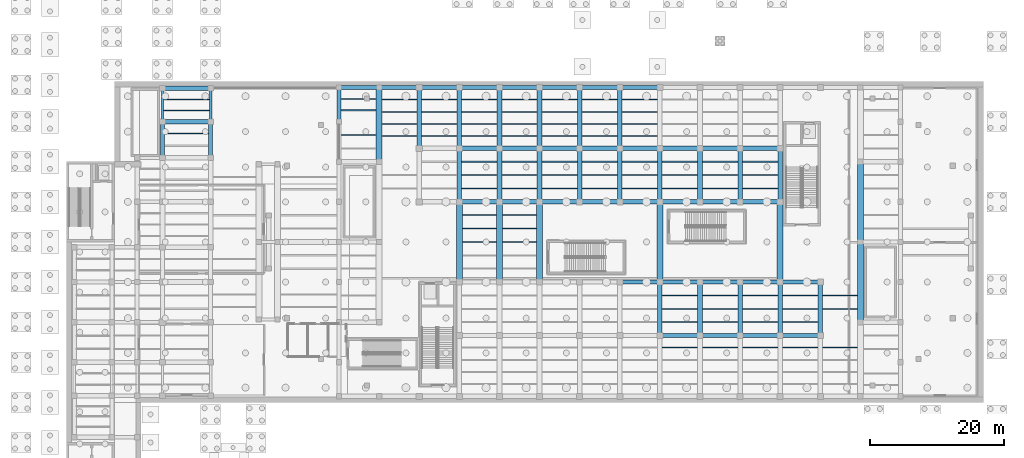
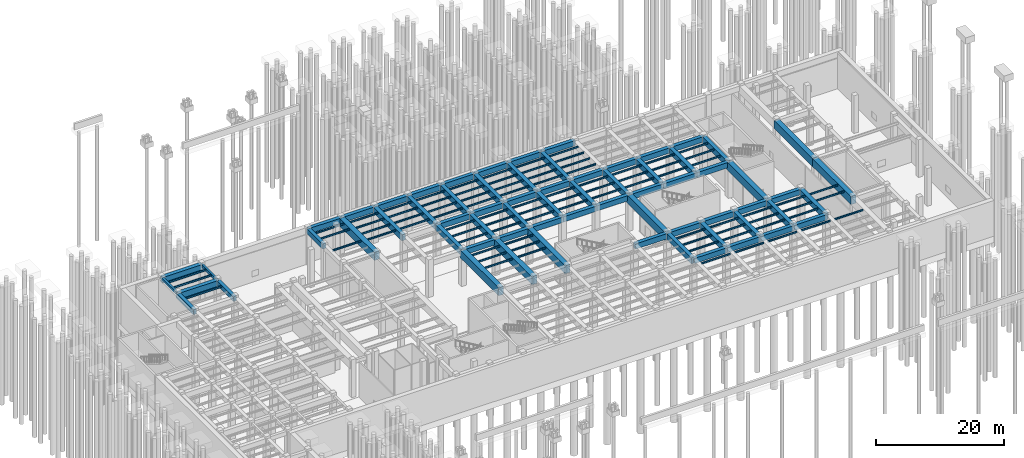
# One storey, part 11 of 30: 151 beams.
"""IFC4 building model written with IfcOpenShell, lengths in metres."""

from ifc_helpers import new_model, si_unit, direction, frame, origin, origin_2d, place, context, subcontext, project, spatial, rectangle, i_section, extrude, material, material_profile, profile_set, type_object, element, save


model = new_model("IFC4")

# Units and contexts
model_context = context("Model", 3, precision=1e-05, world=origin(), true_north=direction((0.0, 1.0)))
body_context = subcontext(model_context, "Body", "Model", "MODEL_VIEW")
ifc_project = project(units=[si_unit("LENGTHUNIT", "METRE"), si_unit("AREAUNIT", "SQUARE_METRE"), si_unit("VOLUMEUNIT", "CUBIC_METRE"), si_unit("PLANEANGLEUNIT", "RADIAN"), si_unit("MASSUNIT", "GRAM", prefix="KILO")], contexts=[model_context])

# Site, building, storey
site_placement = place(None, origin())
site = spatial("IfcSite", under=ifc_project, at=site_placement, CompositionType="ELEMENT")
building_placement = place(site_placement, origin())
building = spatial("IfcBuilding", under=site, at=building_placement, Name="Kolvaren Corner Interchange", CompositionType="ELEMENT")
storey_placement = place(building_placement, frame((0.0, 0.0, -7.199951171875)))
storey = spatial("IfcBuildingStorey", under=building, at=storey_placement, Name="B1", CompositionType="ELEMENT", Elevation=-7.199951171875)

# Beams
ifc_material_1 = material(Name="Concrete C40/50", Category="concrete")
ifc_material_profile_1 = material_profile(ifc_material_1, rectangle(XDim=0.35009765625, YDim=0.550048828125, at=origin_2d()), Name="RC 350x550")
ifc_profile_set_1 = profile_set([ifc_material_profile_1], Name="Concrete C40/50")
beam_type_1 = type_object("IfcBeamType", Name="BM-RC350x550", PredefinedType="BEAM", material=ifc_profile_set_1)
for number, where, z_axis, x_axis, name in (
    (1, (21.60009765625, 66.0, 6.52490234375), (0.0, 1.0, 0.0), (-1.0, 0.0, 0.0), "Storey B1 Grid Y Primary Girder 0126"),
    (2, (28.800048828125, 66.0, 6.52490234375), (0.0, 1.0, 0.0), (-1.0, 0.0, 0.0), "Storey B1 Grid Y Primary Girder 0134"),
):
    element("IfcBeam", number, at=place(storey_placement, frame(where, z_axis=z_axis, x_axis=x_axis)), inside=storey, type_object=beam_type_1, Name=name, PredefinedType="BEAM", context=body_context, shape_type="SweptSolid", body=[
        extrude(rectangle(XDim=0.35009765625, YDim=0.550048828125, at=origin_2d()), origin(), (0.0, 0.0, 1.0), 5.0),
    ])
ifc_material_2 = material(Name="Concrete C40/50", Category="concrete")
ifc_material_profile_2 = material_profile(ifc_material_2, rectangle(XDim=0.60009765625, YDim=0.89990234375, at=origin_2d()), Name="RC 600x900")
ifc_profile_set_2 = profile_set([ifc_material_profile_2], Name="Concrete C40/50")
beam_type_2 = type_object("IfcBeamType", Name="BM-RC600x900", PredefinedType="BEAM", material=ifc_profile_set_2)
for number, where, z_axis, x_axis, name in (
    (3, (21.60009765625, 60.60009765625, 6.349853515625), (0.0, 1.0, 0.0), (-1.0, 0.0, 0.0), "Storey B1 Grid Y Primary Girder 0125"),
    (4, (28.800048828125, 60.60009765625, 6.349853515625), (0.0, 1.0, 0.0), (-1.0, 0.0, 0.0), "Storey B1 Grid Y Primary Girder 0133"),
):
    element("IfcBeam", number, at=place(storey_placement, frame(where, z_axis=z_axis, x_axis=x_axis)), inside=storey, type_object=beam_type_2, Name=name, PredefinedType="BEAM", context=body_context, shape_type="SweptSolid", body=[
        extrude(rectangle(XDim=0.60009765625, YDim=0.89990234375, at=origin_2d()), origin(), (0.0, 0.0, 1.0), 5.39990234375),
    ])
beam_1_placement = place(storey_placement, frame((48.0, 66.0, 6.349853515625), z_axis=(0.0, 1.0, 0.0), x_axis=(-1.0, 0.0, 0.0)))
element("IfcBeam", 5, at=beam_1_placement, inside=storey, type_object=beam_type_2, Name="Storey B1 Grid Y Primary Girder 0147", PredefinedType="BEAM", context=body_context, shape_type="SweptSolid", body=[
    extrude(rectangle(XDim=0.60009765625, YDim=0.89990234375, at=origin_2d()), origin(), (0.0, 0.0, 1.0), 5.10009765625),
])
ifc_material_3 = material(Name="Concrete C40/50", Category="concrete")
ifc_material_profile_3 = material_profile(ifc_material_3, rectangle(XDim=0.64990234375, YDim=1.0, at=origin_2d()), Name="RC 650x1000")
ifc_profile_set_3 = profile_set([ifc_material_profile_3], Name="Concrete C40/50")
beam_type_3 = type_object("IfcBeamType", Name="BM-RC650x1000", PredefinedType="BEAM", material=ifc_profile_set_3)
for number, where, z_axis, x_axis, name in (
    (6, (96.0, 34.0, 6.300048828125), (1.0, 0.0, 0.0), (0.0, 1.0, 0.0), "Storey B1 Grid X Primary Girder 0030"),
    (7, (102.0, 34.0, 6.300048828125), (1.0, 0.0, 0.0), (0.0, 1.0, 0.0), "Storey B1 Grid X Primary Girder 0031"),
    (8, (108.0, 34.0, 6.300048828125), (1.0, 0.0, 0.0), (0.0, 1.0, 0.0), "Storey B1 Grid X Primary Girder 0032"),
    (9, (114.0, 34.0, 6.300048828125), (1.0, 0.0, 0.0), (0.0, 1.0, 0.0), "Storey B1 Grid X Primary Girder 0033"),
    (10, (90.0, 42.0, 6.300048828125), (1.0, 0.0, 0.0), (0.0, 1.0, 0.0), "Storey B1 Grid X Primary Girder 0049"),
    (11, (96.0, 42.0, 6.300048828125), (1.0, 0.0, 0.0), (0.0, 1.0, 0.0), "Storey B1 Grid X Primary Girder 0050"),
    (12, (102.0, 42.0, 6.300048828125), (1.0, 0.0, 0.0), (0.0, 1.0, 0.0), "Storey B1 Grid X Primary Girder 0051"),
    (13, (108.0, 42.0, 6.300048828125), (1.0, 0.0, 0.0), (0.0, 1.0, 0.0), "Storey B1 Grid X Primary Girder 0052"),
    (14, (114.0, 42.0, 6.300048828125), (1.0, 0.0, 0.0), (0.0, 1.0, 0.0), "Storey B1 Grid X Primary Girder 0053"),
    (15, (66.0, 54.0, 6.300048828125), (1.0, 0.0, 0.0), (0.0, 1.0, 0.0), "Storey B1 Grid X Primary Girder 0065"),
    (16, (72.0, 54.0, 6.300048828125), (1.0, 0.0, 0.0), (0.0, 1.0, 0.0), "Storey B1 Grid X Primary Girder 0066"),
    (17, (78.0, 54.0, 6.300048828125), (1.0, 0.0, 0.0), (0.0, 1.0, 0.0), "Storey B1 Grid X Primary Girder 0067"),
    (18, (84.0, 54.0, 6.300048828125), (1.0, 0.0, 0.0), (0.0, 1.0, 0.0), "Storey B1 Grid X Primary Girder 0068"),
    (19, (90.0, 54.0, 6.300048828125), (1.0, 0.0, 0.0), (0.0, 1.0, 0.0), "Storey B1 Grid X Primary Girder 0069"),
    (20, (96.0, 54.0, 6.300048828125), (1.0, 0.0, 0.0), (0.0, 1.0, 0.0), "Storey B1 Grid X Primary Girder 0070"),
    (21, (102.0, 54.0, 6.300048828125), (1.0, 0.0, 0.0), (0.0, 1.0, 0.0), "Storey B1 Grid X Primary Girder 0071"),
    (22, (108.0, 54.0, 6.300048828125), (1.0, 0.0, 0.0), (0.0, 1.0, 0.0), "Storey B1 Grid X Primary Girder 0072"),
    (23, (66.0, 62.0, 6.300048828125), (1.0, 0.0, 0.0), (0.0, 1.0, 0.0), "Storey B1 Grid X Primary Girder 0079"),
    (24, (72.0, 62.0, 6.300048828125), (1.0, 0.0, 0.0), (0.0, 1.0, 0.0), "Storey B1 Grid X Primary Girder 0080"),
    (25, (78.0, 62.0, 6.300048828125), (1.0, 0.0, 0.0), (0.0, 1.0, 0.0), "Storey B1 Grid X Primary Girder 0081"),
    (26, (84.0, 62.0, 6.300048828125), (1.0, 0.0, 0.0), (0.0, 1.0, 0.0), "Storey B1 Grid X Primary Girder 0082"),
    (27, (90.0, 62.0, 6.300048828125), (1.0, 0.0, 0.0), (0.0, 1.0, 0.0), "Storey B1 Grid X Primary Girder 0083"),
    (28, (96.0, 62.0, 6.300048828125), (1.0, 0.0, 0.0), (0.0, 1.0, 0.0), "Storey B1 Grid X Primary Girder 0084"),
    (29, (102.0, 62.0, 6.300048828125), (1.0, 0.0, 0.0), (0.0, 1.0, 0.0), "Storey B1 Grid X Primary Girder 0085"),
    (30, (108.0, 62.0, 6.300048828125), (1.0, 0.0, 0.0), (0.0, 1.0, 0.0), "Storey B1 Grid X Primary Girder 0086"),
    (31, (48.0, 71.10009765625, 6.300048828125), (1.0, 0.0, 0.0), (0.0, 1.0, 0.0), "Storey B1 Grid X Primary Girder 0089"),
    (32, (54.0, 71.10009765625, 6.300048828125), (1.0, 0.0, 0.0), (0.0, 1.0, 0.0), "Storey B1 Grid X Primary Girder 0090"),
    (33, (60.0, 71.10009765625, 6.300048828125), (1.0, 0.0, 0.0), (0.0, 1.0, 0.0), "Storey B1 Grid X Primary Girder 0091"),
    (34, (66.0, 71.10009765625, 6.300048828125), (1.0, 0.0, 0.0), (0.0, 1.0, 0.0), "Storey B1 Grid X Primary Girder 0092"),
    (35, (72.0, 71.10009765625, 6.300048828125), (1.0, 0.0, 0.0), (0.0, 1.0, 0.0), "Storey B1 Grid X Primary Girder 0093"),
    (36, (78.0, 71.10009765625, 6.300048828125), (1.0, 0.0, 0.0), (0.0, 1.0, 0.0), "Storey B1 Grid X Primary Girder 0094"),
    (37, (84.0, 71.10009765625, 6.300048828125), (1.0, 0.0, 0.0), (0.0, 1.0, 0.0), "Storey B1 Grid X Primary Girder 0095"),
    (38, (90.0, 71.10009765625, 6.300048828125), (1.0, 0.0, 0.0), (0.0, 1.0, 0.0), "Storey B1 Grid X Primary Girder 0096"),
):
    element("IfcBeam", number, at=place(storey_placement, frame(where, z_axis=z_axis, x_axis=x_axis)), inside=storey, type_object=beam_type_3, Name=name, PredefinedType="BEAM", context=body_context, shape_type="SweptSolid", body=[
        extrude(rectangle(XDim=0.64990234375, YDim=1.0, at=origin_2d()), origin(), (0.0, 0.0, 1.0), 6.0),
    ])
ifc_material_4 = material(Name="Concrete C40/50", Category="concrete")
ifc_material_profile_4 = material_profile(ifc_material_4, rectangle(XDim=0.699951171875, YDim=1.10009765625, at=origin_2d()), Name="RC 700x1100")
ifc_profile_set_4 = profile_set([ifc_material_profile_4], Name="Concrete C40/50")
beam_type_4 = type_object("IfcBeamType", Name="BM-RC700x1100", PredefinedType="BEAM", material=ifc_profile_set_4)
for number, where, z_axis, x_axis, name in (
    (39, (21.60009765625, 66.0, 6.25), (1.0, 0.0, 0.0), (0.0, 1.0, 0.0), "Storey B1 Grid X Primary Girder 0087"),
    (40, (21.60009765625, 71.0, 6.25), (1.0, 0.0, 0.0), (0.0, 1.0, 0.0), "Storey B1 Grid X Primary Girder 0088"),
):
    element("IfcBeam", number, at=place(storey_placement, frame(where, z_axis=z_axis, x_axis=x_axis)), inside=storey, type_object=beam_type_4, Name=name, PredefinedType="BEAM", context=body_context, shape_type="SweptSolid", body=[
        extrude(rectangle(XDim=0.699951171875, YDim=1.10009765625, at=origin_2d()), origin(), (0.0, 0.0, 1.0), 7.199951171875),
    ])
beam_2_placement = place(storey_placement, frame((60.0, 62.0, 6.25), z_axis=(0.0, 1.0, 0.0), x_axis=(-1.0, 0.0, 0.0)))
element("IfcBeam", 41, at=beam_2_placement, inside=storey, type_object=beam_type_4, Name="Storey B1 Grid Y Primary Girder 0152", PredefinedType="BEAM", context=body_context, shape_type="SweptSolid", body=[
    extrude(rectangle(XDim=0.699951171875, YDim=1.10009765625, at=origin_2d()), origin(), (0.0, 0.0, 1.0), 9.10009765625),
])
beam_3_placement = place(storey_placement, frame((66.0, 54.0, 6.25), z_axis=(0.0, 1.0, 0.0), x_axis=(-1.0, 0.0, 0.0)))
element("IfcBeam", 42, at=beam_3_placement, inside=storey, type_object=beam_type_4, Name="Storey B1 Grid Y Primary Girder 0156", PredefinedType="BEAM", context=body_context, shape_type="SweptSolid", body=[
    extrude(rectangle(XDim=0.699951171875, YDim=1.10009765625, at=origin_2d()), origin(), (0.0, 0.0, 1.0), 8.0),
])
beam_4_placement = place(storey_placement, frame((66.0, 62.0, 6.25), z_axis=(0.0, 1.0, 0.0), x_axis=(-1.0, 0.0, 0.0)))
element("IfcBeam", 43, at=beam_4_placement, inside=storey, type_object=beam_type_4, Name="Storey B1 Grid Y Primary Girder 0157", PredefinedType="BEAM", context=body_context, shape_type="SweptSolid", body=[
    extrude(rectangle(XDim=0.699951171875, YDim=1.10009765625, at=origin_2d()), origin(), (0.0, 0.0, 1.0), 9.10009765625),
])
beam_5_placement = place(storey_placement, frame((72.0, 54.0, 6.25), z_axis=(0.0, 1.0, 0.0), x_axis=(-1.0, 0.0, 0.0)))
element("IfcBeam", 44, at=beam_5_placement, inside=storey, type_object=beam_type_4, Name="Storey B1 Grid Y Primary Girder 0161", PredefinedType="BEAM", context=body_context, shape_type="SweptSolid", body=[
    extrude(rectangle(XDim=0.699951171875, YDim=1.10009765625, at=origin_2d()), origin(), (0.0, 0.0, 1.0), 8.0),
])
beam_6_placement = place(storey_placement, frame((72.0, 62.0, 6.25), z_axis=(0.0, 1.0, 0.0), x_axis=(-1.0, 0.0, 0.0)))
element("IfcBeam", 45, at=beam_6_placement, inside=storey, type_object=beam_type_4, Name="Storey B1 Grid Y Primary Girder 0162", PredefinedType="BEAM", context=body_context, shape_type="SweptSolid", body=[
    extrude(rectangle(XDim=0.699951171875, YDim=1.10009765625, at=origin_2d()), origin(), (0.0, 0.0, 1.0), 9.10009765625),
])
beam_7_placement = place(storey_placement, frame((78.0, 54.0, 6.25), z_axis=(0.0, 1.0, 0.0), x_axis=(-1.0, 0.0, 0.0)))
element("IfcBeam", 46, at=beam_7_placement, inside=storey, type_object=beam_type_4, Name="Storey B1 Grid Y Primary Girder 0166", PredefinedType="BEAM", context=body_context, shape_type="SweptSolid", body=[
    extrude(rectangle(XDim=0.699951171875, YDim=1.10009765625, at=origin_2d()), origin(), (0.0, 0.0, 1.0), 8.0),
])
beam_8_placement = place(storey_placement, frame((78.0, 62.0, 6.25), z_axis=(0.0, 1.0, 0.0), x_axis=(-1.0, 0.0, 0.0)))
element("IfcBeam", 47, at=beam_8_placement, inside=storey, type_object=beam_type_4, Name="Storey B1 Grid Y Primary Girder 0167", PredefinedType="BEAM", context=body_context, shape_type="SweptSolid", body=[
    extrude(rectangle(XDim=0.699951171875, YDim=1.10009765625, at=origin_2d()), origin(), (0.0, 0.0, 1.0), 9.10009765625),
])
beam_9_placement = place(storey_placement, frame((84.0, 54.0, 6.25), z_axis=(0.0, 1.0, 0.0), x_axis=(-1.0, 0.0, 0.0)))
element("IfcBeam", 48, at=beam_9_placement, inside=storey, type_object=beam_type_4, Name="Storey B1 Grid Y Primary Girder 0170", PredefinedType="BEAM", context=body_context, shape_type="SweptSolid", body=[
    extrude(rectangle(XDim=0.699951171875, YDim=1.10009765625, at=origin_2d()), origin(), (0.0, 0.0, 1.0), 8.0),
])
beam_10_placement = place(storey_placement, frame((84.0, 62.0, 6.25), z_axis=(0.0, 1.0, 0.0), x_axis=(-1.0, 0.0, 0.0)))
element("IfcBeam", 49, at=beam_10_placement, inside=storey, type_object=beam_type_4, Name="Storey B1 Grid Y Primary Girder 0171", PredefinedType="BEAM", context=body_context, shape_type="SweptSolid", body=[
    extrude(rectangle(XDim=0.699951171875, YDim=1.10009765625, at=origin_2d()), origin(), (0.0, 0.0, 1.0), 9.10009765625),
])
beam_11_placement = place(storey_placement, frame((90.0, 54.0, 6.25), z_axis=(0.0, 1.0, 0.0), x_axis=(-1.0, 0.0, 0.0)))
element("IfcBeam", 50, at=beam_11_placement, inside=storey, type_object=beam_type_4, Name="Storey B1 Grid Y Primary Girder 0174", PredefinedType="BEAM", context=body_context, shape_type="SweptSolid", body=[
    extrude(rectangle(XDim=0.699951171875, YDim=1.10009765625, at=origin_2d()), origin(), (0.0, 0.0, 1.0), 8.0),
])
beam_12_placement = place(storey_placement, frame((90.0, 62.0, 6.25), z_axis=(0.0, 1.0, 0.0), x_axis=(-1.0, 0.0, 0.0)))
element("IfcBeam", 51, at=beam_12_placement, inside=storey, type_object=beam_type_4, Name="Storey B1 Grid Y Primary Girder 0175", PredefinedType="BEAM", context=body_context, shape_type="SweptSolid", body=[
    extrude(rectangle(XDim=0.699951171875, YDim=1.10009765625, at=origin_2d()), origin(), (0.0, 0.0, 1.0), 9.10009765625),
])
for number, where, z_axis, x_axis, name in (
    (52, (96.0, 34.0, 6.25), (0.0, 1.0, 0.0), (-1.0, 0.0, 0.0), "Storey B1 Grid Y Primary Girder 0177"),
    (53, (96.0, 54.0, 6.25), (0.0, 1.0, 0.0), (-1.0, 0.0, 0.0), "Storey B1 Grid Y Primary Girder 0179"),
    (54, (102.0, 34.0, 6.25), (0.0, 1.0, 0.0), (-1.0, 0.0, 0.0), "Storey B1 Grid Y Primary Girder 0182"),
    (55, (102.0, 54.0, 6.25), (0.0, 1.0, 0.0), (-1.0, 0.0, 0.0), "Storey B1 Grid Y Primary Girder 0183"),
    (56, (108.0, 34.0, 6.25), (0.0, 1.0, 0.0), (-1.0, 0.0, 0.0), "Storey B1 Grid Y Primary Girder 0186"),
    (57, (108.0, 54.0, 6.25), (0.0, 1.0, 0.0), (-1.0, 0.0, 0.0), "Storey B1 Grid Y Primary Girder 0187"),
    (58, (114.0, 34.0, 6.25), (0.0, 1.0, 0.0), (-1.0, 0.0, 0.0), "Storey B1 Grid Y Primary Girder 0190"),
    (59, (114.0, 54.0, 6.25), (0.0, 1.0, 0.0), (-1.0, 0.0, 0.0), "Storey B1 Grid Y Primary Girder 0192"),
    (60, (120.0, 34.0, 6.25), (0.0, 1.0, 0.0), (-1.0, 0.0, 0.0), "Storey B1 Grid Y Primary Girder 0195"),
):
    element("IfcBeam", number, at=place(storey_placement, frame(where, z_axis=z_axis, x_axis=x_axis)), inside=storey, type_object=beam_type_4, Name=name, PredefinedType="BEAM", context=body_context, shape_type="SweptSolid", body=[
        extrude(rectangle(XDim=0.699951171875, YDim=1.10009765625, at=origin_2d()), origin(), (0.0, 0.0, 1.0), 8.0),
    ])
ifc_material_5 = material(Name="Concrete C40/50", Category="concrete")
ifc_material_profile_5 = material_profile(ifc_material_5, rectangle(XDim=0.89990234375, YDim=1.5, at=origin_2d()), Name="RC 900x1500")
ifc_profile_set_5 = profile_set([ifc_material_profile_5], Name="Concrete C40/50")
beam_type_5 = type_object("IfcBeamType", Name="BM-RC900x1500", PredefinedType="BEAM", material=ifc_profile_set_5)
beam_13_placement = place(storey_placement, frame((54.0, 60.0, 6.050048828125), z_axis=(0.0, 1.0, 0.0), x_axis=(-1.0, 0.0, 0.0)))
element("IfcBeam", 61, at=beam_13_placement, inside=storey, type_object=beam_type_5, Name="Storey B1 Grid Y Primary Girder 0150", PredefinedType="BEAM", context=body_context, shape_type="SweptSolid", body=[
    extrude(rectangle(XDim=0.89990234375, YDim=1.5, at=origin_2d()), origin(), (0.0, 0.0, 1.0), 11.10009765625),
])
for number, where, z_axis, x_axis, name in (
    (62, (66.0, 42.0, 6.050048828125), (0.0, 1.0, 0.0), (-1.0, 0.0, 0.0), "Storey B1 Grid Y Primary Girder 0155"),
    (63, (72.0, 42.0, 6.050048828125), (0.0, 1.0, 0.0), (-1.0, 0.0, 0.0), "Storey B1 Grid Y Primary Girder 0160"),
    (64, (78.0, 42.0, 6.050048828125), (0.0, 1.0, 0.0), (-1.0, 0.0, 0.0), "Storey B1 Grid Y Primary Girder 0165"),
    (65, (96.0, 42.0, 6.050048828125), (0.0, 1.0, 0.0), (-1.0, 0.0, 0.0), "Storey B1 Grid Y Primary Girder 0178"),
    (66, (114.0, 42.0, 6.050048828125), (0.0, 1.0, 0.0), (-1.0, 0.0, 0.0), "Storey B1 Grid Y Primary Girder 0191"),
    (67, (126.0, 36.0, 6.050048828125), (0.0, 1.0, 0.0), (-1.0, 0.0, 0.0), "Storey B1 Grid Y Primary Girder 0197"),
    (68, (126.0, 48.0, 6.050048828125), (0.0, 1.0, 0.0), (-1.0, 0.0, 0.0), "Storey B1 Grid Y Primary Girder 0198"),
):
    element("IfcBeam", number, at=place(storey_placement, frame(where, z_axis=z_axis, x_axis=x_axis)), inside=storey, type_object=beam_type_5, Name=name, PredefinedType="BEAM", context=body_context, shape_type="SweptSolid", body=[
        extrude(rectangle(XDim=0.89990234375, YDim=1.5, at=origin_2d()), origin(), (0.0, 0.0, 1.0), 12.0),
    ])
ifc_material_6 = material(Name="Steel S355", Category="steel")
ifc_material_profile_6 = material_profile(ifc_material_6, i_section(OverallWidth=0.159912109375, OverallDepth=0.330078125, WebThickness=0.007568359375, FlangeThickness=0.011474609375, FilletRadius=0.01806640625, at=origin_2d()), Name="IPE 330")
ifc_profile_set_6 = profile_set([ifc_material_profile_6], Name="Steel S355")
beam_type_6 = type_object("IfcBeamType", Name="JS-IPE330", PredefinedType="JOIST", material=ifc_profile_set_6)
for number, where, z_axis, x_axis, name in (
    (69, (48.300048828125, 64.0, 6.635009765625), (1.0, 0.0, 0.0), (0.0, 1.0, 0.0), "Storey B1 Composite Floor Joist 0073"),
    (70, (48.300048828125, 67.699951171875, 6.635009765625), (1.0, 0.0, 0.0), (0.0, 1.0, 0.0), "Storey B1 Composite Floor Joist 0074"),
    (71, (48.300048828125, 69.39990234375, 6.635009765625), (1.0, 0.0, 0.0), (0.0, 1.0, 0.0), "Storey B1 Composite Floor Joist 0075"),
):
    element("IfcBeam", number, at=place(storey_placement, frame(where, z_axis=z_axis, x_axis=x_axis)), inside=storey, type_object=beam_type_6, Name=name, PredefinedType="JOIST", context=body_context, shape_type="SweptSolid", body=[
        extrude(i_section(OverallWidth=0.159912109375, OverallDepth=0.330078125, WebThickness=0.007568359375, FlangeThickness=0.011474609375, FilletRadius=0.01806640625, at=origin_2d()), origin(), (0.0, 0.0, 1.0), 5.25),
    ])
for number, where, z_axis, x_axis, name in (
    (72, (54.449951171875, 63.820068359375, 6.635009765625), (1.0, 0.0, 0.0), (0.0, 1.0, 0.0), "Storey B1 Composite Floor Joist 0078"),
    (73, (54.449951171875, 65.639892578125, 6.635009765625), (1.0, 0.0, 0.0), (0.0, 1.0, 0.0), "Storey B1 Composite Floor Joist 0079"),
    (74, (54.449951171875, 67.4599609375, 6.635009765625), (1.0, 0.0, 0.0), (0.0, 1.0, 0.0), "Storey B1 Composite Floor Joist 0080"),
    (75, (54.449951171875, 69.280029296875, 6.635009765625), (1.0, 0.0, 0.0), (0.0, 1.0, 0.0), "Storey B1 Composite Floor Joist 0081"),
):
    element("IfcBeam", number, at=place(storey_placement, frame(where, z_axis=z_axis, x_axis=x_axis)), inside=storey, type_object=beam_type_6, Name=name, PredefinedType="JOIST", context=body_context, shape_type="SweptSolid", body=[
        extrude(i_section(OverallWidth=0.159912109375, OverallDepth=0.330078125, WebThickness=0.007568359375, FlangeThickness=0.011474609375, FilletRadius=0.01806640625, at=origin_2d()), origin(), (0.0, 0.0, 1.0), 5.199951171875),
    ])
for number, where, z_axis, x_axis, name in (
    (76, (60.35009765625, 63.820068359375, 6.635009765625), (1.0, 0.0, 0.0), (0.0, 1.0, 0.0), "Storey B1 Composite Floor Joist 0085"),
    (77, (60.35009765625, 65.639892578125, 6.635009765625), (1.0, 0.0, 0.0), (0.0, 1.0, 0.0), "Storey B1 Composite Floor Joist 0086"),
    (78, (60.35009765625, 67.4599609375, 6.635009765625), (1.0, 0.0, 0.0), (0.0, 1.0, 0.0), "Storey B1 Composite Floor Joist 0087"),
    (79, (60.35009765625, 69.280029296875, 6.635009765625), (1.0, 0.0, 0.0), (0.0, 1.0, 0.0), "Storey B1 Composite Floor Joist 0088"),
):
    element("IfcBeam", number, at=place(storey_placement, frame(where, z_axis=z_axis, x_axis=x_axis)), inside=storey, type_object=beam_type_6, Name=name, PredefinedType="JOIST", context=body_context, shape_type="SweptSolid", body=[
        extrude(i_section(OverallWidth=0.159912109375, OverallDepth=0.330078125, WebThickness=0.007568359375, FlangeThickness=0.011474609375, FilletRadius=0.01806640625, at=origin_2d()), origin(), (0.0, 0.0, 1.0), 5.2998046875),
    ])
for number, where, z_axis, x_axis, name in (
    (80, (66.449951171875, 48.0, 6.635009765625), (1.0, 0.0, 0.0), (0.0, 1.0, 0.0), "Storey B1 Composite Floor Joist 0098"),
    (81, (66.449951171875, 50.0, 6.635009765625), (1.0, 0.0, 0.0), (0.0, 1.0, 0.0), "Storey B1 Composite Floor Joist 0099"),
    (82, (66.449951171875, 52.0, 6.635009765625), (1.0, 0.0, 0.0), (0.0, 1.0, 0.0), "Storey B1 Composite Floor Joist 0100"),
):
    element("IfcBeam", number, at=place(storey_placement, frame(where, z_axis=z_axis, x_axis=x_axis)), inside=storey, type_object=beam_type_6, Name=name, PredefinedType="JOIST", context=body_context, shape_type="SweptSolid", body=[
        extrude(i_section(OverallWidth=0.159912109375, OverallDepth=0.330078125, WebThickness=0.007568359375, FlangeThickness=0.011474609375, FilletRadius=0.01806640625, at=origin_2d()), origin(), (0.0, 0.0, 1.0), 5.10009765625),
    ])
for number, where, z_axis, x_axis, name in (
    (83, (66.35009765625, 56.0, 6.635009765625), (1.0, 0.0, 0.0), (0.0, 1.0, 0.0), "Storey B1 Composite Floor Joist 0101"),
    (84, (66.35009765625, 58.0, 6.635009765625), (1.0, 0.0, 0.0), (0.0, 1.0, 0.0), "Storey B1 Composite Floor Joist 0102"),
    (85, (66.35009765625, 60.0, 6.635009765625), (1.0, 0.0, 0.0), (0.0, 1.0, 0.0), "Storey B1 Composite Floor Joist 0103"),
    (86, (66.35009765625, 63.820068359375, 6.635009765625), (1.0, 0.0, 0.0), (0.0, 1.0, 0.0), "Storey B1 Composite Floor Joist 0104"),
    (87, (66.35009765625, 65.639892578125, 6.635009765625), (1.0, 0.0, 0.0), (0.0, 1.0, 0.0), "Storey B1 Composite Floor Joist 0105"),
    (88, (66.35009765625, 67.4599609375, 6.635009765625), (1.0, 0.0, 0.0), (0.0, 1.0, 0.0), "Storey B1 Composite Floor Joist 0106"),
    (89, (66.35009765625, 69.280029296875, 6.635009765625), (1.0, 0.0, 0.0), (0.0, 1.0, 0.0), "Storey B1 Composite Floor Joist 0107"),
):
    element("IfcBeam", number, at=place(storey_placement, frame(where, z_axis=z_axis, x_axis=x_axis)), inside=storey, type_object=beam_type_6, Name=name, PredefinedType="JOIST", context=body_context, shape_type="SweptSolid", body=[
        extrude(i_section(OverallWidth=0.159912109375, OverallDepth=0.330078125, WebThickness=0.007568359375, FlangeThickness=0.011474609375, FilletRadius=0.01806640625, at=origin_2d()), origin(), (0.0, 0.0, 1.0), 5.2998046875),
    ])
for number, where, z_axis, x_axis, name in (
    (90, (72.449951171875, 48.0, 6.635009765625), (1.0, 0.0, 0.0), (0.0, 1.0, 0.0), "Storey B1 Composite Floor Joist 0117"),
    (91, (72.449951171875, 50.0, 6.635009765625), (1.0, 0.0, 0.0), (0.0, 1.0, 0.0), "Storey B1 Composite Floor Joist 0118"),
    (92, (72.449951171875, 52.0, 6.635009765625), (1.0, 0.0, 0.0), (0.0, 1.0, 0.0), "Storey B1 Composite Floor Joist 0119"),
):
    element("IfcBeam", number, at=place(storey_placement, frame(where, z_axis=z_axis, x_axis=x_axis)), inside=storey, type_object=beam_type_6, Name=name, PredefinedType="JOIST", context=body_context, shape_type="SweptSolid", body=[
        extrude(i_section(OverallWidth=0.159912109375, OverallDepth=0.330078125, WebThickness=0.007568359375, FlangeThickness=0.011474609375, FilletRadius=0.01806640625, at=origin_2d()), origin(), (0.0, 0.0, 1.0), 5.10009765625),
    ])
for number, where, z_axis, x_axis, name in (
    (93, (72.35009765625, 56.0, 6.635009765625), (1.0, 0.0, 0.0), (0.0, 1.0, 0.0), "Storey B1 Composite Floor Joist 0120"),
    (94, (72.35009765625, 58.0, 6.635009765625), (1.0, 0.0, 0.0), (0.0, 1.0, 0.0), "Storey B1 Composite Floor Joist 0121"),
    (95, (72.35009765625, 60.0, 6.635009765625), (1.0, 0.0, 0.0), (0.0, 1.0, 0.0), "Storey B1 Composite Floor Joist 0122"),
    (96, (72.35009765625, 63.820068359375, 6.635009765625), (1.0, 0.0, 0.0), (0.0, 1.0, 0.0), "Storey B1 Composite Floor Joist 0123"),
    (97, (72.35009765625, 65.639892578125, 6.635009765625), (1.0, 0.0, 0.0), (0.0, 1.0, 0.0), "Storey B1 Composite Floor Joist 0124"),
    (98, (72.35009765625, 67.4599609375, 6.635009765625), (1.0, 0.0, 0.0), (0.0, 1.0, 0.0), "Storey B1 Composite Floor Joist 0125"),
    (99, (72.35009765625, 69.280029296875, 6.635009765625), (1.0, 0.0, 0.0), (0.0, 1.0, 0.0), "Storey B1 Composite Floor Joist 0126"),
    (100, (78.35009765625, 56.0, 6.635009765625), (1.0, 0.0, 0.0), (0.0, 1.0, 0.0), "Storey B1 Composite Floor Joist 0134"),
    (101, (78.35009765625, 58.0, 6.635009765625), (1.0, 0.0, 0.0), (0.0, 1.0, 0.0), "Storey B1 Composite Floor Joist 0135"),
    (102, (78.35009765625, 60.0, 6.635009765625), (1.0, 0.0, 0.0), (0.0, 1.0, 0.0), "Storey B1 Composite Floor Joist 0136"),
    (103, (78.35009765625, 63.820068359375, 6.635009765625), (1.0, 0.0, 0.0), (0.0, 1.0, 0.0), "Storey B1 Composite Floor Joist 0137"),
    (104, (78.35009765625, 65.639892578125, 6.635009765625), (1.0, 0.0, 0.0), (0.0, 1.0, 0.0), "Storey B1 Composite Floor Joist 0138"),
    (105, (78.35009765625, 67.4599609375, 6.635009765625), (1.0, 0.0, 0.0), (0.0, 1.0, 0.0), "Storey B1 Composite Floor Joist 0139"),
    (106, (78.35009765625, 69.280029296875, 6.635009765625), (1.0, 0.0, 0.0), (0.0, 1.0, 0.0), "Storey B1 Composite Floor Joist 0140"),
    (107, (84.35009765625, 56.0, 6.635009765625), (1.0, 0.0, 0.0), (0.0, 1.0, 0.0), "Storey B1 Composite Floor Joist 0148"),
    (108, (84.35009765625, 58.0, 6.635009765625), (1.0, 0.0, 0.0), (0.0, 1.0, 0.0), "Storey B1 Composite Floor Joist 0149"),
    (109, (84.35009765625, 60.0, 6.635009765625), (1.0, 0.0, 0.0), (0.0, 1.0, 0.0), "Storey B1 Composite Floor Joist 0150"),
    (110, (84.35009765625, 63.820068359375, 6.635009765625), (1.0, 0.0, 0.0), (0.0, 1.0, 0.0), "Storey B1 Composite Floor Joist 0151"),
    (111, (84.35009765625, 65.639892578125, 6.635009765625), (1.0, 0.0, 0.0), (0.0, 1.0, 0.0), "Storey B1 Composite Floor Joist 0152"),
    (112, (84.35009765625, 67.4599609375, 6.635009765625), (1.0, 0.0, 0.0), (0.0, 1.0, 0.0), "Storey B1 Composite Floor Joist 0153"),
    (113, (84.35009765625, 69.280029296875, 6.635009765625), (1.0, 0.0, 0.0), (0.0, 1.0, 0.0), "Storey B1 Composite Floor Joist 0154"),
    (114, (90.35009765625, 56.0, 6.635009765625), (1.0, 0.0, 0.0), (0.0, 1.0, 0.0), "Storey B1 Composite Floor Joist 0162"),
    (115, (90.35009765625, 58.0, 6.635009765625), (1.0, 0.0, 0.0), (0.0, 1.0, 0.0), "Storey B1 Composite Floor Joist 0163"),
    (116, (90.35009765625, 60.0, 6.635009765625), (1.0, 0.0, 0.0), (0.0, 1.0, 0.0), "Storey B1 Composite Floor Joist 0164"),
    (117, (90.35009765625, 63.820068359375, 6.635009765625), (1.0, 0.0, 0.0), (0.0, 1.0, 0.0), "Storey B1 Composite Floor Joist 0165"),
    (118, (90.35009765625, 65.639892578125, 6.635009765625), (1.0, 0.0, 0.0), (0.0, 1.0, 0.0), "Storey B1 Composite Floor Joist 0166"),
    (119, (90.35009765625, 67.4599609375, 6.635009765625), (1.0, 0.0, 0.0), (0.0, 1.0, 0.0), "Storey B1 Composite Floor Joist 0167"),
    (120, (90.35009765625, 69.280029296875, 6.635009765625), (1.0, 0.0, 0.0), (0.0, 1.0, 0.0), "Storey B1 Composite Floor Joist 0168"),
    (121, (96.35009765625, 32.179931640625, 6.635009765625), (1.0, 0.0, 0.0), (0.0, 1.0, 0.0), "Storey B1 Composite Floor Joist 0172"),
    (122, (96.35009765625, 36.0, 6.635009765625), (1.0, 0.0, 0.0), (0.0, 1.0, 0.0), "Storey B1 Composite Floor Joist 0173"),
    (123, (96.35009765625, 38.0, 6.635009765625), (1.0, 0.0, 0.0), (0.0, 1.0, 0.0), "Storey B1 Composite Floor Joist 0174"),
    (124, (96.35009765625, 40.0, 6.635009765625), (1.0, 0.0, 0.0), (0.0, 1.0, 0.0), "Storey B1 Composite Floor Joist 0175"),
    (125, (96.35009765625, 56.0, 6.635009765625), (1.0, 0.0, 0.0), (0.0, 1.0, 0.0), "Storey B1 Composite Floor Joist 0176"),
    (126, (96.35009765625, 58.0, 6.635009765625), (1.0, 0.0, 0.0), (0.0, 1.0, 0.0), "Storey B1 Composite Floor Joist 0177"),
    (127, (96.35009765625, 60.0, 6.635009765625), (1.0, 0.0, 0.0), (0.0, 1.0, 0.0), "Storey B1 Composite Floor Joist 0178"),
    (128, (102.35009765625, 32.179931640625, 6.635009765625), (1.0, 0.0, 0.0), (0.0, 1.0, 0.0), "Storey B1 Composite Floor Joist 0186"),
    (129, (102.35009765625, 36.0, 6.635009765625), (1.0, 0.0, 0.0), (0.0, 1.0, 0.0), "Storey B1 Composite Floor Joist 0187"),
    (130, (102.35009765625, 38.0, 6.635009765625), (1.0, 0.0, 0.0), (0.0, 1.0, 0.0), "Storey B1 Composite Floor Joist 0188"),
    (131, (102.35009765625, 40.0, 6.635009765625), (1.0, 0.0, 0.0), (0.0, 1.0, 0.0), "Storey B1 Composite Floor Joist 0189"),
    (132, (102.35009765625, 56.0, 6.635009765625), (1.0, 0.0, 0.0), (0.0, 1.0, 0.0), "Storey B1 Composite Floor Joist 0190"),
    (133, (102.35009765625, 58.0, 6.635009765625), (1.0, 0.0, 0.0), (0.0, 1.0, 0.0), "Storey B1 Composite Floor Joist 0191"),
    (134, (102.35009765625, 60.0, 6.635009765625), (1.0, 0.0, 0.0), (0.0, 1.0, 0.0), "Storey B1 Composite Floor Joist 0192"),
    (135, (108.35009765625, 32.179931640625, 6.635009765625), (1.0, 0.0, 0.0), (0.0, 1.0, 0.0), "Storey B1 Composite Floor Joist 0200"),
    (136, (108.35009765625, 36.0, 6.635009765625), (1.0, 0.0, 0.0), (0.0, 1.0, 0.0), "Storey B1 Composite Floor Joist 0201"),
    (137, (108.35009765625, 38.0, 6.635009765625), (1.0, 0.0, 0.0), (0.0, 1.0, 0.0), "Storey B1 Composite Floor Joist 0202"),
    (138, (108.35009765625, 40.0, 6.635009765625), (1.0, 0.0, 0.0), (0.0, 1.0, 0.0), "Storey B1 Composite Floor Joist 0203"),
    (139, (108.35009765625, 56.0, 6.635009765625), (1.0, 0.0, 0.0), (0.0, 1.0, 0.0), "Storey B1 Composite Floor Joist 0204"),
    (140, (108.35009765625, 58.0, 6.635009765625), (1.0, 0.0, 0.0), (0.0, 1.0, 0.0), "Storey B1 Composite Floor Joist 0205"),
    (141, (108.35009765625, 60.0, 6.635009765625), (1.0, 0.0, 0.0), (0.0, 1.0, 0.0), "Storey B1 Composite Floor Joist 0206"),
    (142, (114.35009765625, 32.179931640625, 6.635009765625), (1.0, 0.0, 0.0), (0.0, 1.0, 0.0), "Storey B1 Composite Floor Joist 0214"),
    (143, (114.35009765625, 36.0, 6.635009765625), (1.0, 0.0, 0.0), (0.0, 1.0, 0.0), "Storey B1 Composite Floor Joist 0215"),
    (144, (114.35009765625, 38.0, 6.635009765625), (1.0, 0.0, 0.0), (0.0, 1.0, 0.0), "Storey B1 Composite Floor Joist 0216"),
    (145, (114.35009765625, 40.0, 6.635009765625), (1.0, 0.0, 0.0), (0.0, 1.0, 0.0), "Storey B1 Composite Floor Joist 0217"),
):
    element("IfcBeam", number, at=place(storey_placement, frame(where, z_axis=z_axis, x_axis=x_axis)), inside=storey, type_object=beam_type_6, Name=name, PredefinedType="JOIST", context=body_context, shape_type="SweptSolid", body=[
        extrude(i_section(OverallWidth=0.159912109375, OverallDepth=0.330078125, WebThickness=0.007568359375, FlangeThickness=0.011474609375, FilletRadius=0.01806640625, at=origin_2d()), origin(), (0.0, 0.0, 1.0), 5.2998046875),
    ])
for number, where, z_axis, x_axis, name in (
    (146, (120.35009765625, 32.179931640625, 6.635009765625), (1.0, 0.0, 0.0), (0.0, 1.0, 0.0), "Storey B1 Composite Floor Joist 0221"),
    (147, (120.35009765625, 38.0, 6.635009765625), (1.0, 0.0, 0.0), (0.0, 1.0, 0.0), "Storey B1 Composite Floor Joist 0222"),
    (148, (120.35009765625, 40.0, 6.635009765625), (1.0, 0.0, 0.0), (0.0, 1.0, 0.0), "Storey B1 Composite Floor Joist 0223"),
):
    element("IfcBeam", number, at=place(storey_placement, frame(where, z_axis=z_axis, x_axis=x_axis)), inside=storey, type_object=beam_type_6, Name=name, PredefinedType="JOIST", context=body_context, shape_type="SweptSolid", body=[
        extrude(i_section(OverallWidth=0.159912109375, OverallDepth=0.330078125, WebThickness=0.007568359375, FlangeThickness=0.011474609375, FilletRadius=0.01806640625, at=origin_2d()), origin(), (0.0, 0.0, 1.0), 5.199951171875),
    ])
ifc_material_7 = material(Name="Steel S355", Category="steel")
ifc_material_profile_7 = material_profile(ifc_material_7, i_section(OverallWidth=0.169921875, OverallDepth=0.360107421875, WebThickness=0.008056640625, FlangeThickness=0.0126953125, FilletRadius=0.01806640625, at=origin_2d()), Name="IPE 360")
ifc_profile_set_7 = profile_set([ifc_material_profile_7], Name="Steel S355")
beam_type_7 = type_object("IfcBeamType", Name="JS-IPE360", PredefinedType="JOIST", material=ifc_profile_set_7)
beam_14_placement = place(storey_placement, frame((21.89990234375, 64.199951171875, 6.619873046875), z_axis=(1.0, 0.0, 0.0), x_axis=(0.0, 1.0, 0.0)))
element("IfcBeam", 149, at=beam_14_placement, inside=storey, type_object=beam_type_7, Name="Storey B1 Composite Floor Joist 0049", PredefinedType="JOIST", context=body_context, shape_type="SweptSolid", body=[
    extrude(i_section(OverallWidth=0.169921875, OverallDepth=0.360107421875, WebThickness=0.008056640625, FlangeThickness=0.0126953125, FilletRadius=0.01806640625, at=origin_2d()), origin(), (0.0, 0.0, 1.0), 6.60009765625),
])
for number, where, z_axis, x_axis, name in (
    (150, (21.77490234375, 67.666748046875, 6.619873046875), (1.0, 0.0, 0.0), (0.0, 1.0, 0.0), "Storey B1 Composite Floor Joist 0050"),
    (151, (21.77490234375, 69.333251953125, 6.619873046875), (1.0, 0.0, 0.0), (0.0, 1.0, 0.0), "Storey B1 Composite Floor Joist 0051"),
):
    element("IfcBeam", number, at=place(storey_placement, frame(where, z_axis=z_axis, x_axis=x_axis)), inside=storey, type_object=beam_type_7, Name=name, PredefinedType="JOIST", context=body_context, shape_type="SweptSolid", body=[
        extrude(i_section(OverallWidth=0.169921875, OverallDepth=0.360107421875, WebThickness=0.008056640625, FlangeThickness=0.0126953125, FilletRadius=0.01806640625, at=origin_2d()), origin(), (0.0, 0.0, 1.0), 6.85009765625),
    ])

save(model, "model.ifc")
